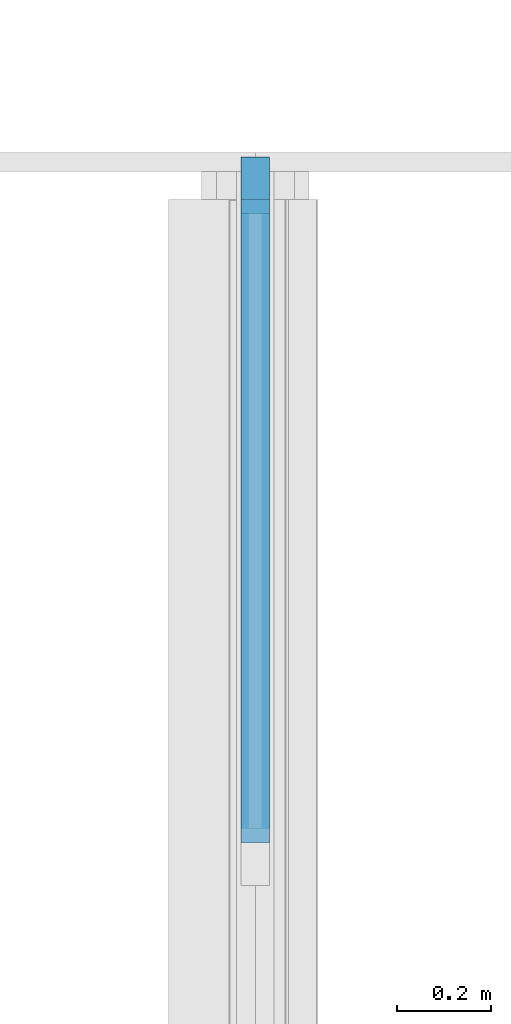
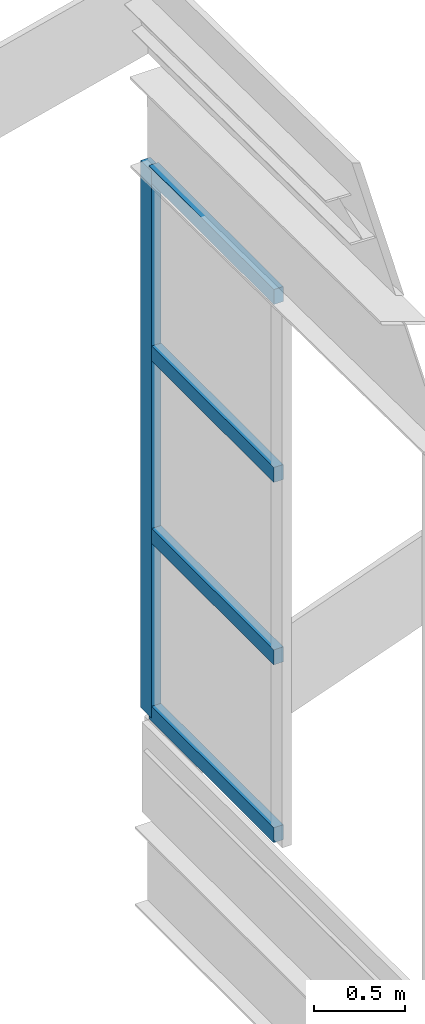
# One storey, part 40 of 483: 5 members, 1 element without a shape of its own.
"""IFC4 building model written with IfcOpenShell, lengths in metres."""

from ifc_helpers import new_model, si_unit, direction, frame, origin, origin_2d, place, context, subcontext, project, spatial, rectangle, extrude, material, material_profile, profile_set, type_object, element, aggregate, save


model = new_model("IFC4")

# Units and contexts
model_context = context("Model", 3, precision=1e-05, world=origin(), true_north=direction((0.0, 1.0)))
body_context = subcontext(model_context, "Body", "Model", "MODEL_VIEW")
ifc_project = project(units=[si_unit("LENGTHUNIT", "METRE"), si_unit("AREAUNIT", "SQUARE_METRE"), si_unit("VOLUMEUNIT", "CUBIC_METRE"), si_unit("PLANEANGLEUNIT", "RADIAN"), si_unit("MASSUNIT", "GRAM", prefix="KILO")], contexts=[model_context])

# Site, building, storey
site_placement = place(None, origin())
site = spatial("IfcSite", under=ifc_project, at=site_placement, CompositionType="ELEMENT")
building_placement = place(site_placement, origin())
building = spatial("IfcBuilding", under=site, at=building_placement, Name="Parallax Yard Mobility Hub", CompositionType="ELEMENT")
storey_placement = place(building_placement, frame((0.0, 0.0, 13.199951171875)))
storey = spatial("IfcBuildingStorey", under=building, at=storey_placement, Name="L04", CompositionType="ELEMENT", Elevation=13.199951171875)

# Curtain wall, members
ifc_material_1 = material(Name="Thermally broken aluminium curtain wall system", Category="aluminium")
curtain_wall_type = type_object("IfcCurtainWallType", Name="Clerestory glazing run 60 x 120 frame", PredefinedType="NOTDEFINED", material=ifc_material_1)
curtain_wall_placement = place(storey_placement, origin())
curtain_wall = element("IfcCurtainWall", 1, at=curtain_wall_placement, inside=storey, type_object=curtain_wall_type, Name="Clerestory glazing run Rooftop sports deck roof step 1 bay 4 level L04", PredefinedType="NOTDEFINED")
ifc_material_2 = material(Name="Extruded aluminium", Category="aluminium")
ifc_material_profile_1 = material_profile(ifc_material_2, rectangle(XDim=0.06005859375, YDim=0.1201171875, at=origin_2d()), Name="Mullion 60 x 120")
ifc_profile_set_1 = profile_set([ifc_material_profile_1], Name="Extruded aluminium")
member_type_1 = type_object("IfcMemberType", Name="Mullion 60 x 120", PredefinedType="MULLION", material=ifc_profile_set_1)
member_1_placement = place(storey_placement, frame((127.5, 55.469970703125, 7.087890625), z_axis=(0.0, 0.0, 1.0), x_axis=(-1.0, 0.0, 0.0)))
member_1 = element("IfcMember", 2, at=member_1_placement, type_object=member_type_1, Name="CW4 mullion 2", PredefinedType="MULLION", context=body_context, shape_type="SweptSolid", body=[
    extrude(rectangle(XDim=0.06005859375, YDim=0.1201171875, at=origin_2d()), origin(), (0.0, 0.0, 1.0), 3.652099609375),
])
ifc_material_profile_2 = material_profile(ifc_material_2, rectangle(XDim=0.06005859375, YDim=0.10009765625, at=origin_2d()), Name="Transom 60 x 100")
ifc_profile_set_2 = profile_set([ifc_material_profile_2], Name="Extruded aluminium")
member_type_2 = type_object("IfcMemberType", Name="Transom 60 x 100", PredefinedType="USERDEFINED", material=ifc_profile_set_2)
member_2_placement = place(storey_placement, frame((127.5, 54.0732421875, 7.117919921875), z_axis=(0.0, 1.0, 0.0), x_axis=(-1.0, 0.0, 0.0)))
member_2 = element("IfcMember", 3, at=member_2_placement, type_object=member_type_2, Name="CW4 transom 1.1", ObjectType="TRANSOM", PredefinedType="USERDEFINED", context=body_context, shape_type="SweptSolid", body=[
    extrude(rectangle(XDim=0.06005859375, YDim=0.10009765625, at=origin_2d()), origin(), (0.0, 0.0, 1.0), 1.36669921875),
])
member_3_placement = place(storey_placement, frame((127.5, 54.0732421875, 8.30517578125), z_axis=(0.0, 1.0, 0.0), x_axis=(-1.0, 0.0, 0.0)))
member_3 = element("IfcMember", 4, at=member_3_placement, type_object=member_type_2, Name="CW4 transom 1.2", ObjectType="TRANSOM", PredefinedType="USERDEFINED", context=body_context, shape_type="SweptSolid", body=[
    extrude(rectangle(XDim=0.06005859375, YDim=0.10009765625, at=origin_2d()), origin(), (0.0, 0.0, 1.0), 1.36669921875),
])
member_4_placement = place(storey_placement, frame((127.5, 54.0732421875, 9.522705078125), z_axis=(0.0, 1.0, 0.0), x_axis=(-1.0, 0.0, 0.0)))
member_4 = element("IfcMember", 5, at=member_4_placement, type_object=member_type_2, Name="CW4 transom 1.3", ObjectType="TRANSOM", PredefinedType="USERDEFINED", context=body_context, shape_type="SweptSolid", body=[
    extrude(rectangle(XDim=0.06005859375, YDim=0.10009765625, at=origin_2d()), origin(), (0.0, 0.0, 1.0), 1.36669921875),
])
member_5_placement = place(storey_placement, frame((127.5, 54.0732421875, 10.7099609375), z_axis=(0.0, 1.0, 0.0), x_axis=(-1.0, 0.0, 0.0)))
member_5 = element("IfcMember", 6, at=member_5_placement, type_object=member_type_2, Name="CW4 transom 1.4", ObjectType="TRANSOM", PredefinedType="USERDEFINED", context=body_context, shape_type="SweptSolid", body=[
    extrude(rectangle(XDim=0.06005859375, YDim=0.10009765625, at=origin_2d()), origin(), (0.0, 0.0, 1.0), 1.36669921875),
])
aggregate(curtain_wall, [member_1, member_2, member_3, member_4, member_5])

save(model, "model.ifc")
